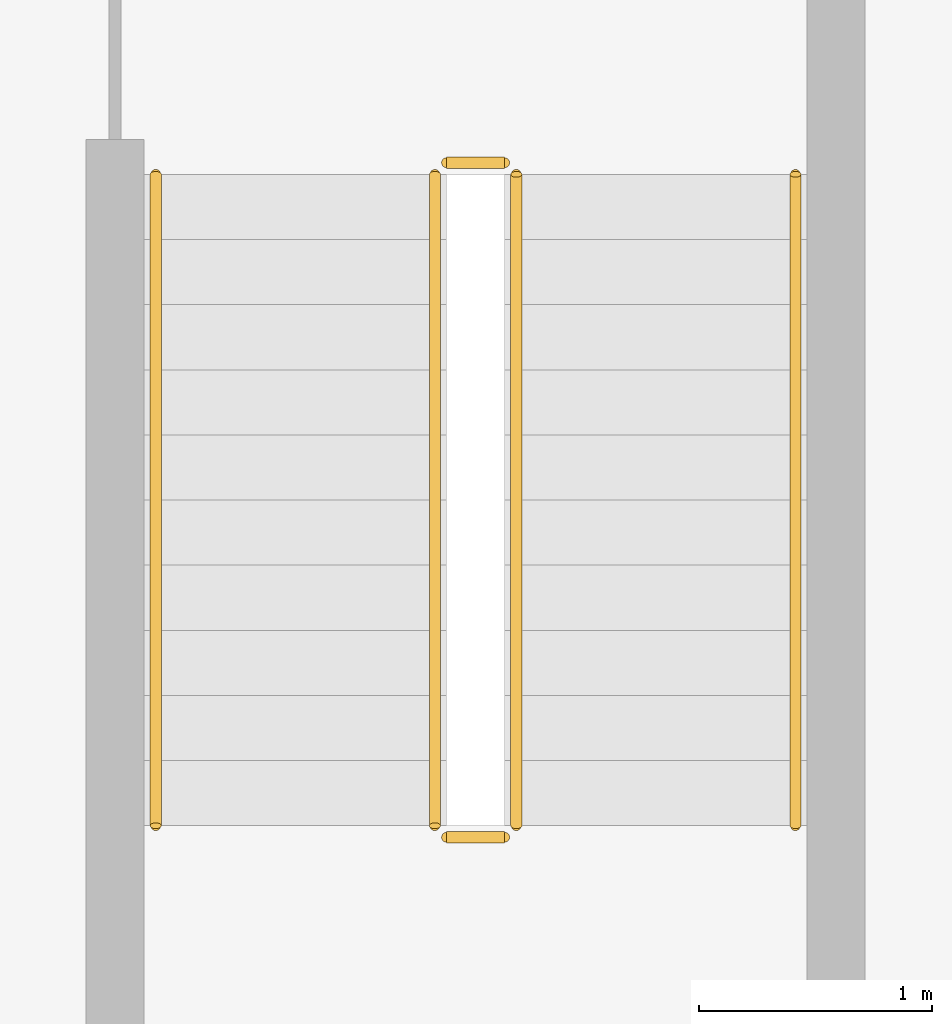
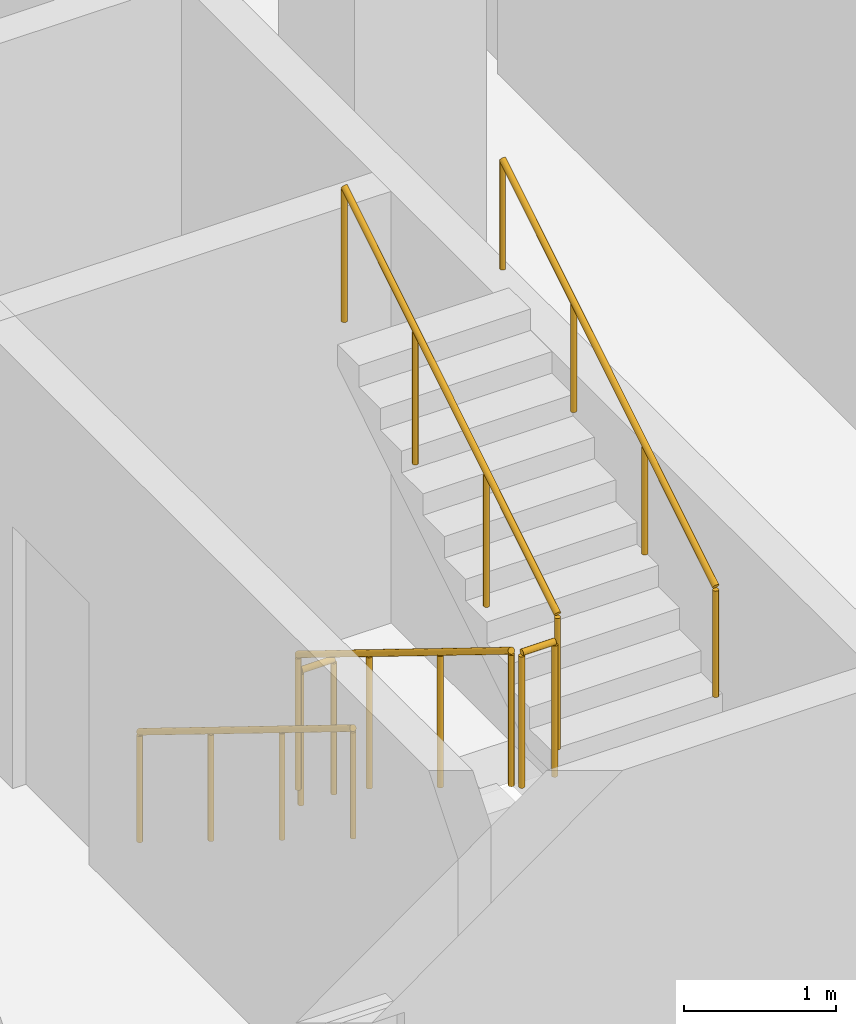
# One storey, part 27 of 32: 6 railings.
"""IFC4 building model written with IfcOpenShell, lengths in metres."""

from ifc_helpers import new_model, si_unit, direction, frame, origin, origin_2d, place, context, subcontext, project, spatial, circle, extrude, material, type_object, element, save


model = new_model("IFC4")

# Units and contexts
model_context = context("Model", 3, precision=1e-05, world=origin(), true_north=direction((0.0, 1.0)))
body_context = subcontext(model_context, "Body", "Model", "MODEL_VIEW")
ifc_project = project(units=[si_unit("LENGTHUNIT", "METRE"), si_unit("AREAUNIT", "SQUARE_METRE"), si_unit("VOLUMEUNIT", "CUBIC_METRE"), si_unit("PLANEANGLEUNIT", "RADIAN"), si_unit("MASSUNIT", "GRAM", prefix="KILO")], contexts=[model_context])

# Site, building, storey
site_placement = place(None, origin())
site = spatial("IfcSite", under=ifc_project, at=site_placement, CompositionType="ELEMENT")
building_placement = place(site_placement, origin())
building = spatial("IfcBuilding", under=site, at=building_placement, Name="Mahtab Terrace Research Tower", CompositionType="ELEMENT")
storey_placement = place(building_placement, frame((0.0, 0.0, 236.199951171875)))
storey = spatial("IfcBuildingStorey", under=building, at=storey_placement, Name="L57", CompositionType="ELEMENT", Elevation=236.199951171875)

# Railings
ifc_material = material(Name="Stainless steel AISI 304", Category="steel")
railing_type_1 = type_object("IfcRailingType", Name="Stair guard 1100", PredefinedType="GUARDRAIL", material=ifc_material)
railing_1_placement = place(storey_placement, frame((2.949951171875, -4.175048828125, 0.1728515625)))
element("IfcRailing", 1, at=railing_1_placement, inside=storey, type_object=railing_type_1, Name="L57 ST2 stair guard 1", PredefinedType="GUARDRAIL", context=body_context, shape_type="SweptSolid", body=[
    extrude(circle(Radius=0.02392578125, at=origin_2d()), frame((0.0, 0.0, 1.076171875), z_axis=(0.0, -0.851089632645, 0.525020415988), x_axis=(1.0, 0.0, 0.0)), (0.0, 0.0, 1.0), 3.2900390625),
    extrude(circle(Radius=0.02099609375, at=origin_2d()), origin(), (0.0, 0.0, 1.0), 1.052001953125),
    extrude(circle(Radius=0.02099609375, at=origin_2d()), frame((0.0, -0.933349609375, 0.57568359375)), (0.0, 0.0, 1.0), 1.052001953125),
    extrude(circle(Radius=0.02099609375, at=origin_2d()), frame((0.0, -1.86669921875, 1.151611328125)), (0.0, 0.0, 1.0), 1.052001953125),
    extrude(circle(Radius=0.02099609375, at=origin_2d()), frame((0.0, -2.800048828125, 1.727294921875)), (0.0, 0.0, 1.0), 1.052001953125),
])
railing_2_placement = place(storey_placement, frame((3.0, -7.02490234375, 1.900146484375)))
element("IfcRailing", 2, at=railing_2_placement, inside=storey, type_object=railing_type_1, Name="L57 ST2 stair guard 2", PredefinedType="GUARDRAIL", context=body_context, shape_type="SweptSolid", body=[
    extrude(circle(Radius=0.02392578125, at=origin_2d()), frame((0.0, 0.0, 1.076171875), z_axis=(1.0, 0.0, 0.0), x_axis=(0.0, 1.0, 0.0)), (0.0, 0.0, 1.0), 0.25),
    extrude(circle(Radius=0.02099609375, at=origin_2d()), origin(), (0.0, 0.0, 1.0), 1.052001953125),
    extrude(circle(Radius=0.02099609375, at=origin_2d()), frame((0.25, 0.0, 0.0)), (0.0, 0.0, 1.0), 1.052001953125),
])
railing_3_placement = place(storey_placement, frame((3.300048828125, -6.97509765625, 2.07275390625)))
element("IfcRailing", 3, at=railing_3_placement, inside=storey, type_object=railing_type_1, Name="L57 ST2 stair guard 3", PredefinedType="GUARDRAIL", context=body_context, shape_type="SweptSolid", body=[
    extrude(circle(Radius=0.02392578125, at=origin_2d()), frame((0.0, 0.0, 1.076171875), z_axis=(0.0, 0.851089632645, 0.525020415988), x_axis=(-1.0, 0.0, 0.0)), (0.0, 0.0, 1.0), 3.2900390625),
    extrude(circle(Radius=0.02099609375, at=origin_2d()), origin(), (0.0, 0.0, 1.0), 1.052001953125),
    extrude(circle(Radius=0.02099609375, at=origin_2d()), frame((0.0, 0.933349609375, 0.57568359375)), (0.0, 0.0, 1.0), 1.052001953125),
    extrude(circle(Radius=0.02099609375, at=origin_2d()), frame((0.0, 1.86669921875, 1.151611328125)), (0.0, 0.0, 1.0), 1.052001953125),
    extrude(circle(Radius=0.02099609375, at=origin_2d()), frame((0.0, 2.800048828125, 1.727294921875)), (0.0, 0.0, 1.0), 1.052001953125),
])
railing_4_placement = place(storey_placement, frame((3.0, -4.125, 0.0)))
element("IfcRailing", 4, at=railing_4_placement, inside=storey, type_object=railing_type_1, Name="L57 ST2 stair guard 4", PredefinedType="GUARDRAIL", context=body_context, shape_type="SweptSolid", body=[
    extrude(circle(Radius=0.02392578125, at=origin_2d()), frame((0.0, 0.0, 1.076171875), z_axis=(1.0, 0.0, 0.0), x_axis=(0.0, 1.0, 0.0)), (0.0, 0.0, 1.0), 0.25),
    extrude(circle(Radius=0.02099609375, at=origin_2d()), origin(), (0.0, 0.0, 1.0), 1.052001953125),
    extrude(circle(Radius=0.02099609375, at=origin_2d()), frame((0.25, 0.0, 0.0)), (0.0, 0.0, 1.0), 1.052001953125),
])
railing_type_2 = type_object("IfcRailingType", Name="Stair handrail 900", PredefinedType="HANDRAIL", material=ifc_material)
railing_5_placement = place(storey_placement, frame((1.75, -4.175048828125, 0.1728515625)))
element("IfcRailing", 5, at=railing_5_placement, inside=storey, type_object=railing_type_2, Name="L57 ST2 stair handrail 1", PredefinedType="HANDRAIL", context=body_context, shape_type="SweptSolid", body=[
    extrude(circle(Radius=0.02392578125, at=origin_2d()), frame((0.0, 0.0, 0.8759765625), z_axis=(0.0, -0.851089632645, 0.525020415988), x_axis=(1.0, 0.0, 0.0)), (0.0, 0.0, 1.0), 3.2900390625),
    extrude(circle(Radius=0.02099609375, at=origin_2d()), origin(), (0.0, 0.0, 1.0), 0.851806640625),
    extrude(circle(Radius=0.02099609375, at=origin_2d()), frame((0.0, -0.933349609375, 0.57568359375)), (0.0, 0.0, 1.0), 0.851806640625),
    extrude(circle(Radius=0.02099609375, at=origin_2d()), frame((0.0, -1.86669921875, 1.151611328125)), (0.0, 0.0, 1.0), 0.851806640625),
    extrude(circle(Radius=0.02099609375, at=origin_2d()), frame((0.0, -2.800048828125, 1.727294921875)), (0.0, 0.0, 1.0), 0.851806640625),
])
railing_6_placement = place(storey_placement, frame((4.5, -6.97509765625, 2.07275390625)))
element("IfcRailing", 6, at=railing_6_placement, inside=storey, type_object=railing_type_2, Name="L57 ST2 stair handrail 2", PredefinedType="HANDRAIL", context=body_context, shape_type="SweptSolid", body=[
    extrude(circle(Radius=0.02392578125, at=origin_2d()), frame((0.0, 0.0, 0.8759765625), z_axis=(0.0, 0.851089632645, 0.525020415988), x_axis=(-1.0, 0.0, 0.0)), (0.0, 0.0, 1.0), 3.2900390625),
    extrude(circle(Radius=0.02099609375, at=origin_2d()), origin(), (0.0, 0.0, 1.0), 0.851806640625),
    extrude(circle(Radius=0.02099609375, at=origin_2d()), frame((0.0, 0.933349609375, 0.57568359375)), (0.0, 0.0, 1.0), 0.851806640625),
    extrude(circle(Radius=0.02099609375, at=origin_2d()), frame((0.0, 1.86669921875, 1.151611328125)), (0.0, 0.0, 1.0), 0.851806640625),
    extrude(circle(Radius=0.02099609375, at=origin_2d()), frame((0.0, 2.800048828125, 1.727294921875)), (0.0, 0.0, 1.0), 0.851806640625),
])

save(model, "model.ifc")
